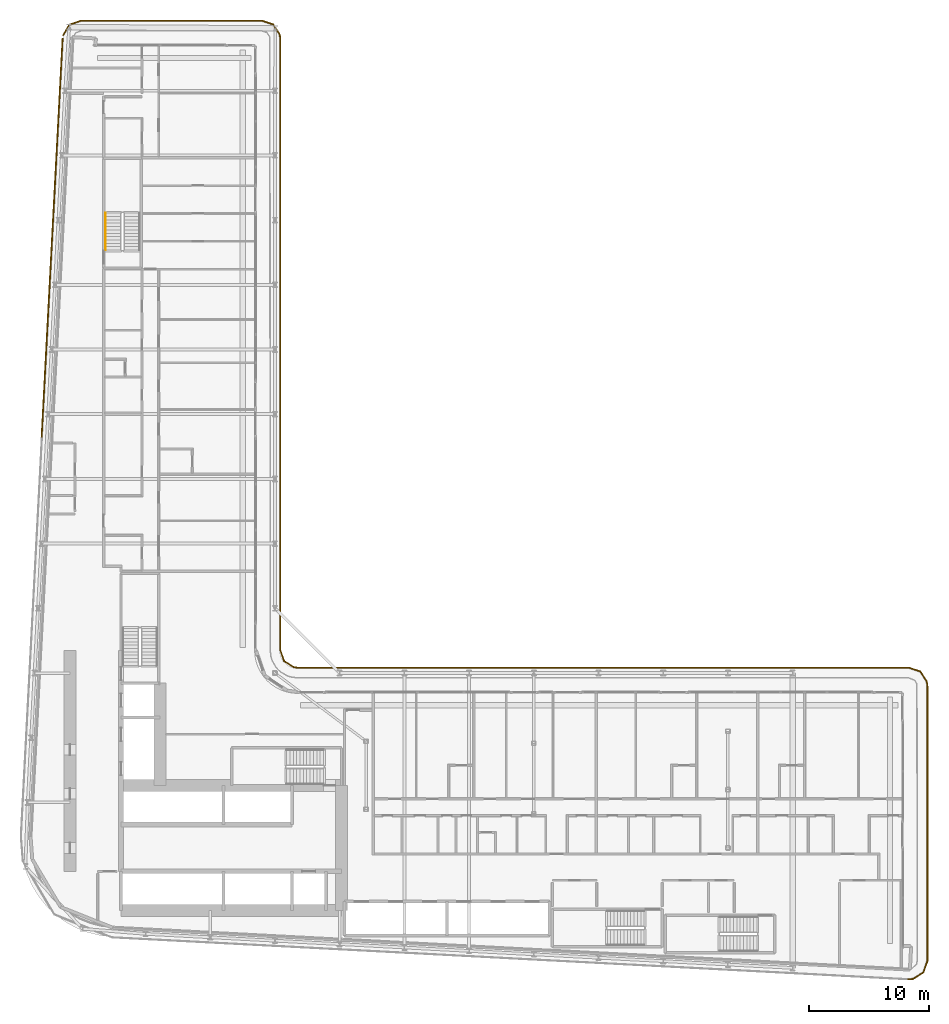
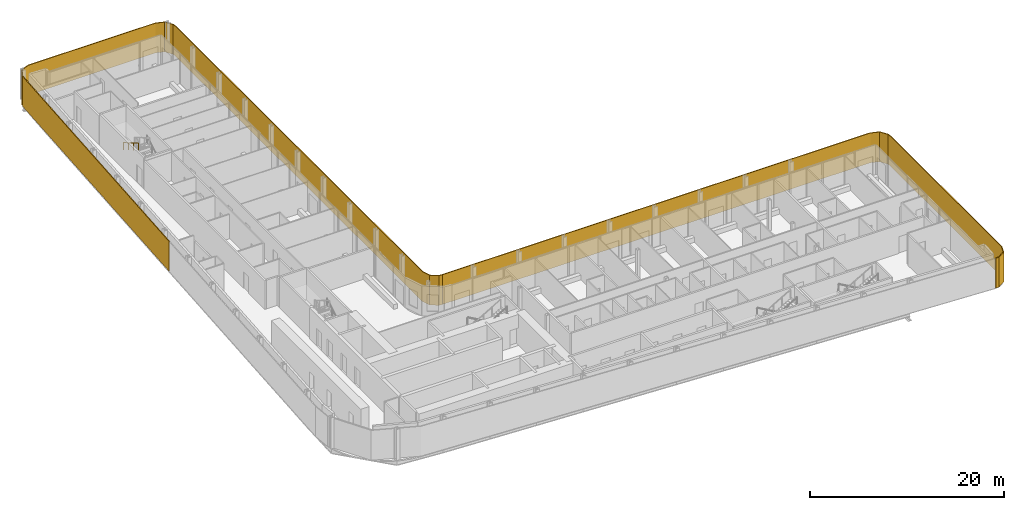
# One storey, part 27 of 29: 3 shading devices, 1 railing.
"""IFC4 building model written with IfcOpenShell, lengths in metres."""

from ifc_helpers import new_model, si_unit, direction, frame, origin, origin_2d, place, context, subcontext, project, spatial, polyline, rectangle, circle, outline, extrude, material, layer, layer_set, type_object, element, save


model = new_model("IFC4")

# Units and contexts
model_context = context("Model", 3, precision=1e-05, world=origin(), true_north=direction((0.0, 1.0)))
body_context = subcontext(model_context, "Body", "Model", "MODEL_VIEW")
ifc_project = project(units=[si_unit("LENGTHUNIT", "METRE"), si_unit("AREAUNIT", "SQUARE_METRE"), si_unit("VOLUMEUNIT", "CUBIC_METRE"), si_unit("PLANEANGLEUNIT", "RADIAN"), si_unit("MASSUNIT", "GRAM", prefix="KILO")], contexts=[model_context])

# Site, building, storey
site_placement = place(None, origin())
site = spatial("IfcSite", under=ifc_project, at=site_placement, CompositionType="ELEMENT")
building_placement = place(site_placement, origin())
building = spatial("IfcBuilding", under=site, at=building_placement, Name="Kheshtan School and Residences Tower", CompositionType="ELEMENT")
storey_placement = place(building_placement, frame((0.0, 0.0, 61.699951171875)))
storey = spatial("IfcBuildingStorey", under=building, at=storey_placement, Name="L14", CompositionType="ELEMENT", Elevation=61.699951171875)

# Shading devices
ifc_material_1 = material(Name="Terracotta baguette, extruded ceramic", Category="masonry")
ifc_layer_1 = layer(ifc_material_1, 0.10009765625)
ifc_layer_set_1 = layer_set([ifc_layer_1], Name="Ledge screen, terracotta baguettes")
shading_device_type_1 = type_object("IfcShadingDeviceType", Name="Ledge screen, terracotta baguettes", PredefinedType="USERDEFINED", material=ifc_layer_set_1)
shading_device_1_placement = place(storey_placement, frame((28.9990234375, 81.93408203125, 0.0), z_axis=(0.0, 0.0, 1.0), x_axis=(0.052562536748, 0.998617634398, 0.0)))
element("IfcShadingDevice", 1, at=shading_device_1_placement, inside=storey, type_object=shading_device_type_1, Name="Screen L14 5", ObjectType="BAGUETTE", PredefinedType="USERDEFINED", context=body_context, shape_type="SweptSolid", body=[
    extrude(rectangle(XDim=33.341064453125, YDim=0.10009765625, at=origin_2d()), origin(), (0.0, 0.0, 1.0), 3.75),
])
ifc_material_2 = material(Name="Terracotta lattice, extruded ceramic", Category="masonry")
ifc_layer_2 = layer(ifc_material_2, 0.10009765625)
ifc_layer_set_2 = layer_set([ifc_layer_2], Name="Loggia screen, terracotta lattice")
shading_device_type_2 = type_object("IfcShadingDeviceType", Name="Loggia screen, terracotta lattice", PredefinedType="USERDEFINED", material=ifc_layer_set_2)
shading_device_2_placement = place(storey_placement, origin())
element("IfcShadingDevice", 2, at=shading_device_2_placement, inside=storey, type_object=shading_device_type_2, Name="Screen L14 1", ObjectType="SCREEN", PredefinedType="USERDEFINED", context=body_context, shape_type="SweptSolid", body=[
    extrude(outline(polyline([(29.949951171875, 98.783935546875), (30.468017578125, 99.656982421875), (31.423095703125, 100.0), (46.5, 100.0), (47.4130859375, 99.68994140625), (47.948974609375, 98.887939453125), (48.0, 98.5), (48.0, 47.5), (48.31005859375, 46.5869140625), (49.112060546875, 46.051025390625), (49.5, 46.0), (49.512939453125, 46.09912109375), (49.14794921875, 46.14697265625), (48.39404296875, 46.65087890625), (48.10009765625, 47.51708984375), (48.10009765625, 98.507080078125), (48.044921875, 98.924072265625), (47.47705078125, 99.77392578125), (46.51708984375, 100.10009765625), (31.406005859375, 100.10009765625), (30.39990234375, 99.739013671875), (29.864013671875, 98.8349609375), (29.949951171875, 98.783935546875)])), origin(), (0.0, 0.0, 1.0), 3.75),
])
shading_device_3_placement = place(storey_placement, origin())
element("IfcShadingDevice", 3, at=shading_device_3_placement, inside=storey, type_object=shading_device_type_2, Name="Screen L14 2", ObjectType="SCREEN", PredefinedType="USERDEFINED", context=body_context, shape_type="SweptSolid", body=[
    extrude(outline(polyline([(49.5, 46.0), (100.5, 46.0), (101.4130859375, 45.68994140625), (101.948974609375, 44.887939453125), (102.0, 44.5), (102.0, 21.5810546875), (101.669921875, 20.64208984375), (100.823974609375, 20.116943359375), (100.4208984375, 20.0830078125), (100.428955078125, 19.98291015625), (100.85595703125, 20.01904296875), (101.7529296875, 20.575927734375), (102.10009765625, 21.56396484375), (102.10009765625, 44.507080078125), (102.044921875, 44.924072265625), (101.47705078125, 45.77392578125), (100.51708984375, 46.10009765625), (49.5, 46.10009765625), (49.5, 46.0)])), origin(), (0.0, 0.0, 1.0), 3.75),
])

# Railing
ifc_material_3 = material(Name="Stainless steel handrail", Category="steel")
railing_type = type_object("IfcRailingType", Name="Stair handrail 900", PredefinedType="HANDRAIL", material=ifc_material_3)
railing_placement = place(storey_placement, frame((33.449951171875, 83.97998046875, 2.112548828125)))
element("IfcRailing", 4, at=railing_placement, inside=storey, type_object=railing_type, Name="L14 ST3 stair handrail 2", PredefinedType="HANDRAIL", context=body_context, shape_type="SweptSolid", body=[
    extrude(circle(Radius=0.02392578125, at=origin_2d()), frame((0.0, 0.0, 0.8759765625), z_axis=(0.0, -0.864890721111, 0.501960198159), x_axis=(1.0, 0.0, 0.0)), (0.0, 0.0, 1.0), 3.561279296875),
    extrude(circle(Radius=0.02099609375, at=origin_2d()), origin(), (0.0, 0.0, 1.0), 0.851806640625),
    extrude(circle(Radius=0.02099609375, at=origin_2d()), frame((0.0, -1.026611328125, 0.595947265625)), (0.0, 0.0, 1.0), 0.851806640625),
    extrude(circle(Radius=0.02099609375, at=origin_2d()), frame((0.0, -2.053466796875, 1.191650390625)), (0.0, 0.0, 1.0), 0.851806640625),
    extrude(circle(Radius=0.02099609375, at=origin_2d()), frame((0.0, -3.080078125, 1.78759765625)), (0.0, 0.0, 1.0), 0.851806640625),
])

save(model, "model.ifc")
